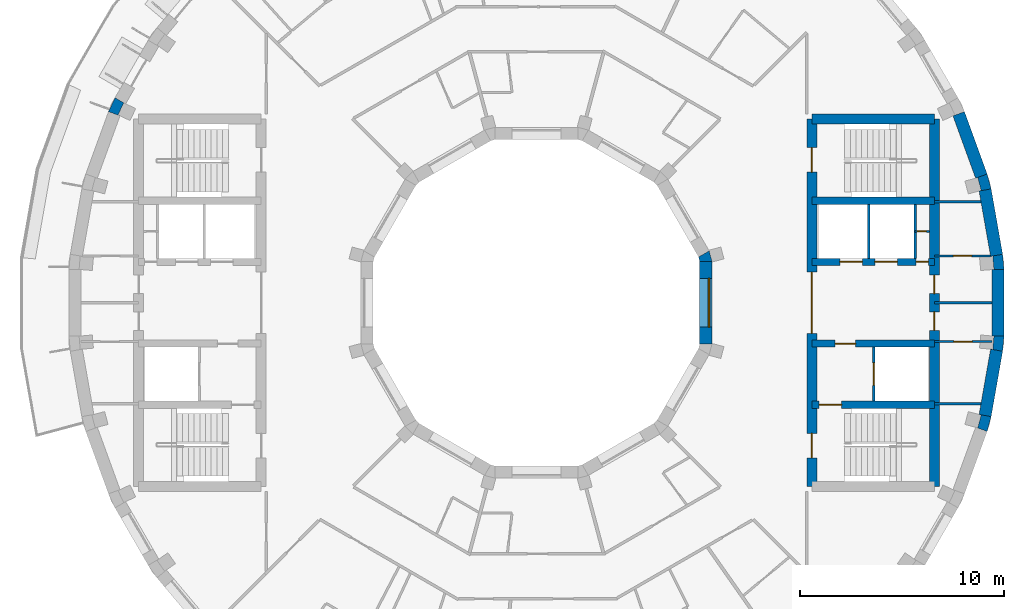
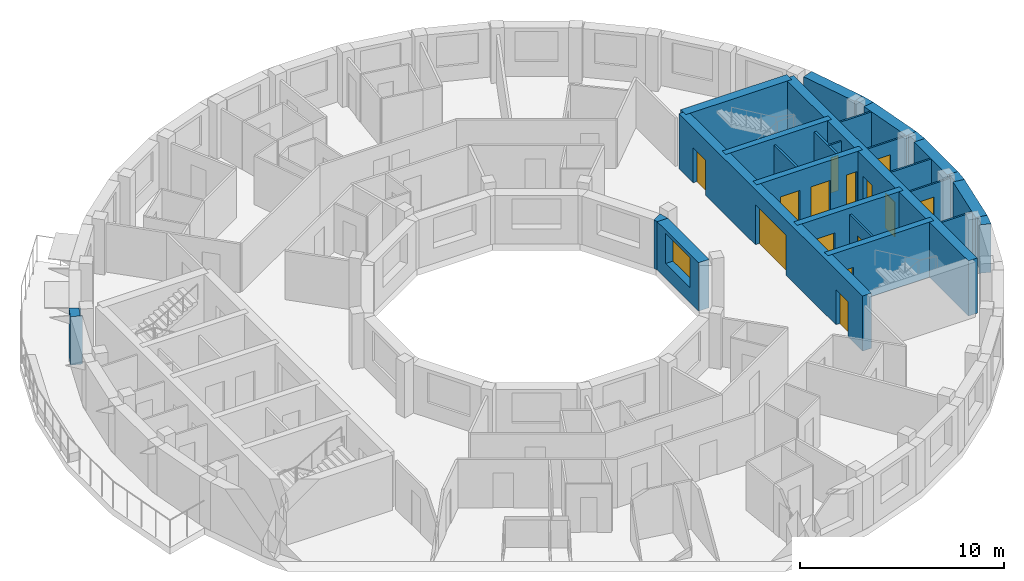
# One storey, part 6 of 10: 27 walls, 14 doors, 1 window, 15 openings.
"""IFC4 building model written with IfcOpenShell, lengths in metres."""

from ifc_helpers import new_model, si_unit, direction, frame, frame_2d, origin, place, context, subcontext, project, spatial, polyline, rectangle, outline, extrude, material, layer, layer_set, type_object, element, fill, save


model = new_model("IFC4")

# Units and contexts
model_context = context("Model", 3, precision=1e-05, world=origin(), true_north=direction((0.0, 1.0)))
body_context = subcontext(model_context, "Body", "Model", "MODEL_VIEW")
ifc_project = project(units=[si_unit("LENGTHUNIT", "METRE"), si_unit("AREAUNIT", "SQUARE_METRE"), si_unit("VOLUMEUNIT", "CUBIC_METRE"), si_unit("PLANEANGLEUNIT", "RADIAN"), si_unit("MASSUNIT", "GRAM", prefix="KILO")], contexts=[model_context])

# Site, building, storey
site_placement = place(None, origin())
site = spatial("IfcSite", under=ifc_project, at=site_placement, CompositionType="ELEMENT")
building_placement = place(site_placement, origin())
building = spatial("IfcBuilding", under=site, at=building_placement, Name="Saqina Gate Tower", CompositionType="ELEMENT")
storey_placement = place(building_placement, frame((0.0, 0.0, 242.89990234375)))
storey = spatial("IfcBuildingStorey", under=building, at=storey_placement, Name="L69", CompositionType="ELEMENT", Elevation=242.89990234375)

# Walls
ifc_material_1 = material(Name="Brick masonry (buff)", Category="masonry")
wall_type_1 = type_object("IfcWallType", Name="BRICK PIER COPING BUFF", PredefinedType="SOLIDWALL", material=ifc_material_1)
wall_1_placement = place(storey_placement, origin())
element("IfcWall", 1, at=wall_1_placement, inside=storey, type_object=wall_type_1, Name="Pier cap L69 column 1", PredefinedType="SOLIDWALL", context=body_context, shape_type="SweptSolid", body=[
    extrude(outline(polyline([(22.91259765625, 1.625732421875), (22.8466796875, 2.377685546875), (22.255859375, 2.2734375), (22.361083984375, 2.28271484375), (22.417724609375, 1.635009765625), (22.3125, 1.625732421875), (22.91259765625, 1.625732421875)])), origin(), (0.0, 0.0, 1.0), 2.900146484375),
])
wall_2_placement = place(storey_placement, origin())
element("IfcWall", 2, at=wall_2_placement, inside=storey, type_object=wall_type_1, Name="Pier cap L69 column 2", PredefinedType="SOLIDWALL", context=body_context, shape_type="SweptSolid", body=[
    extrude(outline(polyline([(22.0869140625, 6.30859375), (21.52294921875, 6.103515625), (21.625, 6.130859375), (21.793212890625, 5.5029296875), (21.691162109375, 5.4755859375), (22.281982421875, 5.579833984375), (22.0869140625, 6.30859375)])), origin(), (0.0, 0.0, 1.0), 2.900146484375),
])
wall_3_placement = place(storey_placement, origin())
element("IfcWall", 3, at=wall_3_placement, inside=storey, type_object=wall_type_1, Name="Pier cap L69 column 16", PredefinedType="SOLIDWALL", context=body_context, shape_type="SweptSolid", body=[
    extrude(outline(polyline([(-20.65576171875, 10.048095703125), (-20.974609375, 9.3642578125), (-20.410888671875, 9.1591796875), (-20.506591796875, 9.203857421875), (-20.23193359375, 9.79296875), (-20.135986328125, 9.748291015625), (-20.65576171875, 10.048095703125)])), origin(), (0.0, 0.0, 1.0), 2.900146484375),
])
wall_4_placement = place(storey_placement, origin())
element("IfcWall", 4, at=wall_4_placement, inside=storey, type_object=wall_type_1, Name="Pier cap L69 column 35", PredefinedType="SOLIDWALL", context=body_context, shape_type="SweptSolid", body=[
    extrude(outline(polyline([(22.281982421875, -5.579833984375), (21.691162109375, -5.4755859375), (21.793212890625, -5.5029296875), (21.625, -6.130859375), (21.52294921875, -6.103515625), (22.0869140625, -6.30859375), (22.281982421875, -5.579833984375)])), origin(), (0.0, 0.0, 1.0), 2.900146484375),
])
wall_5_placement = place(storey_placement, origin())
element("IfcWall", 5, at=wall_5_placement, inside=storey, type_object=wall_type_1, Name="Pier cap L69 column 36", PredefinedType="SOLIDWALL", context=body_context, shape_type="SweptSolid", body=[
    extrude(outline(polyline([(22.8466796875, -2.377685546875), (22.91259765625, -1.625732421875), (22.3125, -1.625732421875), (22.417724609375, -1.635009765625), (22.361083984375, -2.28271484375), (22.255859375, -2.2734375), (22.8466796875, -2.377685546875)])), origin(), (0.0, 0.0, 1.0), 2.900146484375),
])

# Wall, opening, door
ifc_material_2 = material(Name="Gypsum board on steel studs", Category="steel")
ifc_layer_1 = layer(ifc_material_2, 0.10009765625)
ifc_layer_set_1 = layer_set([ifc_layer_1], Name="CORE PARTITION")
wall_type_2 = type_object("IfcWallType", Name="CORE PARTITION", PredefinedType="PARTITIONING", material=ifc_layer_set_1)
wall_6_placement = place(storey_placement, frame((18.56005859375, 3.5, 0.0), z_axis=(0.0, 0.0, 1.0), x_axis=(1.0, 0.0, 0.0)))
wall_6 = element("IfcWall", 6, at=wall_6_placement, inside=storey, type_object=wall_type_2, Name="L69-CP-E01", PredefinedType="PARTITIONING", context=body_context, shape_type="SweptSolid", body=[
    extrude(rectangle(XDim=0.68994140625, YDim=0.10009765625, at=frame_2d((0.344970703125, 0.0))), origin(), (0.0, 0.0, 1.0), 2.900146484375),
])
opening_1_placement = place(wall_6_placement, frame((0.10009765625, 0.0, 0.0)))
opening_1 = element("IfcOpeningElement", 7, at=opening_1_placement, cuts=wall_6, Name="Opening G20-D96", PredefinedType="OPENING", context=body_context, shape_type="SweptSolid", body=[
    extrude(rectangle(XDim=0.449951171875, YDim=2.10009765625, at=frame_2d((0.22509765625, 1.050048828125))), frame((0.0, 0.06201171875, 0.0), z_axis=(0.0, -1.0, 0.0), x_axis=(1.0, 0.0, 0.0)), (0.0, 0.0, 1.0), 0.1240234375),
])
ifc_material_3 = material(Name="Steel-framed fire door leaf, EI 60", Category="steel")
door_type_1 = type_object("IfcDoorType", Name="SERVICE ROOM DOOR 450", OperationType="SINGLE_SWING_LEFT", PredefinedType="DOOR", material=ifc_material_3)
door_1_placement = place(opening_1_placement, origin())
door_1 = element("IfcDoor", 8, at=door_1_placement, inside=storey, type_object=door_type_1, Name="L69-CD-E07", OperationType="SINGLE_SWING_RIGHT", OverallHeight=2.10009765625, OverallWidth=0.449951171875, PredefinedType="DOOR", context=body_context, shape_type="SweptSolid", body=[
    extrude(rectangle(XDim=0.449951171875, YDim=2.10009765625, at=frame_2d((0.22509765625, 1.050048828125))), frame((0.0, 0.02490234375, 0.0), z_axis=(0.0, -1.0, 0.0), x_axis=(1.0, 0.0, 0.0)), (0.0, 0.0, 1.0), 0.050048828125),
])
fill(opening_1, door_1)

# Wall
wall_7_placement = place(storey_placement, frame((19.5, 4.949951171875, 0.0), z_axis=(0.0, 0.0, 1.0), x_axis=(1.0, 0.0, 0.0)))
element("IfcWall", 9, at=wall_7_placement, inside=storey, type_object=wall_type_2, Name="L69-CP-E02", PredefinedType="PARTITIONING", context=body_context, shape_type="SweptSolid", body=[
    extrude(rectangle(XDim=2.283935546875, YDim=0.10009765625, at=frame_2d((1.14208984375, 0.0))), origin(), (0.0, 0.0, 1.0), 2.900146484375),
])

# Wall, opening, door
wall_8_placement = place(storey_placement, frame((19.5, 2.300048828125, 0.0), z_axis=(0.0, 0.0, 1.0), x_axis=(1.0, 0.0, 0.0)))
wall_8 = element("IfcWall", 10, at=wall_8_placement, inside=storey, type_object=wall_type_2, Name="L69-CP-E03", PredefinedType="PARTITIONING", context=body_context, shape_type="SweptSolid", body=[
    extrude(rectangle(XDim=2.751220703125, YDim=0.10009765625, at=frame_2d((1.37548828125, 0.0))), origin(), (0.0, 0.0, 1.0), 2.900146484375),
])
opening_2_placement = place(wall_8_placement, frame((0.925537109375, 0.0, 0.0)))
opening_2 = element("IfcOpeningElement", 11, at=opening_2_placement, cuts=wall_8, Name="Opening G20-D92", PredefinedType="OPENING", context=body_context, shape_type="SweptSolid", body=[
    extrude(rectangle(XDim=0.89990234375, YDim=2.10009765625, at=frame_2d((0.449951171875, 1.050048828125))), frame((0.0, 0.06201171875, 0.0), z_axis=(0.0, -1.0, 0.0), x_axis=(1.0, 0.0, 0.0)), (0.0, 0.0, 1.0), 0.1240234375),
])
ifc_material_4 = material(Name="Steel-framed fire door leaf, EI 60", Category="steel")
door_type_2 = type_object("IfcDoorType", Name="SERVICE ROOM DOOR 900", OperationType="SINGLE_SWING_LEFT", PredefinedType="DOOR", material=ifc_material_4)
door_2_placement = place(opening_2_placement, origin())
door_2 = element("IfcDoor", 12, at=door_2_placement, inside=storey, type_object=door_type_2, Name="L69-CD-E03", OperationType="SINGLE_SWING_LEFT", OverallHeight=2.10009765625, OverallWidth=0.89990234375, PredefinedType="DOOR", context=body_context, shape_type="SweptSolid", body=[
    extrude(rectangle(XDim=0.89990234375, YDim=2.10009765625, at=frame_2d((0.449951171875, 1.050048828125))), frame((0.0, 0.02490234375, 0.0), z_axis=(0.0, -1.0, 0.0), x_axis=(1.0, 0.0, 0.0)), (0.0, 0.0, 1.0), 0.050048828125),
])
fill(opening_2, door_2)

# Wall
wall_9_placement = place(storey_placement, frame((19.5, -4.949951171875, 0.0), z_axis=(0.0, 0.0, 1.0), x_axis=(1.0, 0.0, 0.0)))
element("IfcWall", 13, at=wall_9_placement, inside=storey, type_object=wall_type_2, Name="L69-CP-E04", PredefinedType="PARTITIONING", context=body_context, shape_type="SweptSolid", body=[
    extrude(rectangle(XDim=2.283935546875, YDim=0.10009765625, at=frame_2d((1.14208984375, 0.0))), origin(), (0.0, 0.0, 1.0), 2.900146484375),
])

# Wall, opening, door
wall_10_placement = place(storey_placement, frame((19.5, -1.89990234375, 0.0), z_axis=(0.0, 0.0, 1.0), x_axis=(1.0, 0.0, 0.0)))
wall_10 = element("IfcWall", 14, at=wall_10_placement, inside=storey, type_object=wall_type_2, Name="L69-CP-E05", PredefinedType="PARTITIONING", context=body_context, shape_type="SweptSolid", body=[
    extrude(rectangle(XDim=2.8125, YDim=0.10009765625, at=frame_2d((1.40625, 0.0))), origin(), (0.0, 0.0, 1.0), 2.900146484375),
])
opening_3_placement = place(wall_10_placement, frame((0.956298828125, 0.0, 0.0)))
opening_3 = element("IfcOpeningElement", 15, at=opening_3_placement, cuts=wall_10, Name="Opening G20-D94", PredefinedType="OPENING", context=body_context, shape_type="SweptSolid", body=[
    extrude(rectangle(XDim=0.89990234375, YDim=2.10009765625, at=frame_2d((0.449951171875, 1.050048828125))), frame((0.0, 0.06201171875, 0.0), z_axis=(0.0, -1.0, 0.0), x_axis=(1.0, 0.0, 0.0)), (0.0, 0.0, 1.0), 0.1240234375),
])
door_3_placement = place(opening_3_placement, frame((0.89990234375, 0.0, 0.0), z_axis=(0.0, 0.0, 1.0), x_axis=(-1.0, 0.0, 0.0)))
door_3 = element("IfcDoor", 16, at=door_3_placement, inside=storey, type_object=door_type_2, Name="L69-CD-E05", OperationType="SINGLE_SWING_LEFT", OverallHeight=2.10009765625, OverallWidth=0.89990234375, PredefinedType="DOOR", context=body_context, shape_type="SweptSolid", body=[
    extrude(rectangle(XDim=0.89990234375, YDim=2.10009765625, at=frame_2d((0.449951171875, 1.050048828125))), frame((0.0, 0.02490234375, 0.0), z_axis=(0.0, -1.0, 0.0), x_axis=(1.0, 0.0, 0.0)), (0.0, 0.0, 1.0), 0.050048828125),
])
fill(opening_3, door_3)

# Walls
wall_11_placement = place(storey_placement, frame((19.5, 0.0, 0.0), z_axis=(0.0, 0.0, 1.0), x_axis=(1.0, 0.0, 0.0)))
element("IfcWall", 17, at=wall_11_placement, inside=storey, type_object=wall_type_2, Name="L69-CP-E06", PredefinedType="PARTITIONING", context=body_context, shape_type="SweptSolid", body=[
    extrude(rectangle(XDim=2.8125, YDim=0.10009765625, at=frame_2d((1.40625, 0.0))), origin(), (0.0, 0.0, 1.0), 2.900146484375),
])
ifc_material_5 = material(Name="Glazed ceramic tile", Category="ceramic")
ifc_layer_2 = layer(ifc_material_5, 0.60009765625)
ifc_layer_set_2 = layer_set([ifc_layer_2], Name="FW-TILE")
wall_type_3 = type_object("IfcWallType", Name="FW-TILE", PredefinedType="SOLIDWALL", material=ifc_layer_set_2)
wall_12_placement = place(storey_placement, frame((21.804931640625, 6.2060546875, 0.0), z_axis=(0.0, 0.0, 1.0), x_axis=(-0.342056509473, 0.939679383794, 0.0)))
element("IfcWall", 18, at=wall_12_placement, inside=storey, type_object=wall_type_3, Name="Facade wall L69 facet 2", PredefinedType="SOLIDWALL", context=body_context, shape_type="SweptSolid", body=[
    extrude(rectangle(XDim=3.251708984375, YDim=0.60009765625, at=frame_2d((1.6259765625, 0.0))), origin(), (0.0, 0.0, 1.0), 2.900146484375),
])
wall_13_placement = place(storey_placement, frame((22.612548828125, -1.625732421875, 0.0), z_axis=(0.0, 0.0, 1.0), x_axis=(0.0, 1.0, 0.0)))
element("IfcWall", 19, at=wall_13_placement, inside=storey, type_object=wall_type_3, Name="Facade wall L69 facet 36", PredefinedType="SOLIDWALL", context=body_context, shape_type="SweptSolid", body=[
    extrude(rectangle(XDim=3.25146484375, YDim=0.60009765625, at=frame_2d((1.625732421875, 0.0))), origin(), (0.0, 0.0, 1.0), 2.900146484375),
])
ifc_material_6 = material(Name="Glazed ceramic tile (dark blue)", Category="ceramic")
ifc_layer_3 = layer(ifc_material_6, 0.60009765625)
ifc_layer_set_3 = layer_set([ifc_layer_3], Name="FW-TILE-CB")
wall_type_4 = type_object("IfcWallType", Name="FW-TILE-CB", PredefinedType="SOLIDWALL", material=ifc_layer_set_3)
wall_14_placement = place(storey_placement, frame((22.55126953125, 2.325439453125, 0.0), z_axis=(0.0, 0.0, 1.0), x_axis=(-0.173656842178, 0.984806225186, 0.0)))
element("IfcWall", 20, at=wall_14_placement, inside=storey, type_object=wall_type_4, Name="Facade wall L69 facet 1", PredefinedType="SOLIDWALL", context=body_context, shape_type="SweptSolid", body=[
    extrude(rectangle(XDim=3.251708984375, YDim=0.60009765625, at=frame_2d((1.6259765625, 0.0))), origin(), (0.0, 0.0, 1.0), 2.900146484375),
])
ifc_material_7 = material(Name="Glazed ceramic tile (white)", Category="ceramic")
ifc_layer_4 = layer(ifc_material_7, 0.60009765625)
ifc_layer_set_4 = layer_set([ifc_layer_4], Name="FW-TILE-WH")
wall_type_5 = type_object("IfcWallType", Name="FW-TILE-WH", PredefinedType="SOLIDWALL", material=ifc_layer_set_4)
wall_15_placement = place(storey_placement, frame((21.986572265625, -5.52783203125, 0.0), z_axis=(0.0, 0.0, 1.0), x_axis=(0.173656842178, 0.984806225186, 0.0)))
element("IfcWall", 21, at=wall_15_placement, inside=storey, type_object=wall_type_5, Name="Facade wall L69 facet 35", PredefinedType="SOLIDWALL", context=body_context, shape_type="SweptSolid", body=[
    extrude(rectangle(XDim=3.251708984375, YDim=0.60009765625, at=frame_2d((1.6259765625, 0.0))), origin(), (0.0, 0.0, 1.0), 2.900146484375),
])

# Wall, opening, window
ifc_material_8 = material(Name="Glazed ceramic tile", Category="ceramic")
ifc_layer_5 = layer(ifc_material_8, 0.60009765625)
ifc_layer_set_5 = layer_set([ifc_layer_5], Name="IW-TILE")
wall_type_6 = type_object("IfcWallType", Name="IW-TILE", PredefinedType="SOLIDWALL", material=ifc_layer_set_5)
wall_16_placement = place(storey_placement, frame((8.300048828125, -2.029296875, 0.0), z_axis=(0.0, 0.0, 1.0), x_axis=(0.0, 1.0, 0.0)))
wall_16 = element("IfcWall", 22, at=wall_16_placement, inside=storey, type_object=wall_type_6, Name="Well wall L69 facet 12", PredefinedType="SOLIDWALL", context=body_context, shape_type="SweptSolid", body=[
    extrude(rectangle(XDim=4.05859375, YDim=0.60009765625, at=frame_2d((2.029296875, 0.0))), origin(), (0.0, 0.0, 1.0), 2.900146484375),
])
opening_4_placement = place(wall_16_placement, frame((0.829345703125, 0.0, 0.89990234375)))
opening_4 = element("IfcOpeningElement", 23, at=opening_4_placement, cuts=wall_16, Name="Opening G20-W36", PredefinedType="OPENING", context=body_context, shape_type="SweptSolid", body=[
    extrude(rectangle(XDim=2.39990234375, YDim=1.800048828125, at=frame_2d((1.199951171875, 0.89990234375))), frame((0.0, 0.31201171875, 0.0), z_axis=(0.0, -1.0, 0.0), x_axis=(1.0, 0.0, 0.0)), (0.0, 0.0, 1.0), 0.6240234375),
])
ifc_material_9 = material(Name="Aluminium glazing", Category="aluminium")
window_type = type_object("IfcWindowType", Name="WN-W", PartitioningType="SINGLE_PANEL", PredefinedType="WINDOW", material=ifc_material_9)
window_placement = place(opening_4_placement, origin())
window = element("IfcWindow", 24, at=window_placement, inside=storey, type_object=window_type, Name="Well window L69 facet 12", OverallHeight=1.800048828125, OverallWidth=2.39990234375, PartitioningType="SINGLE_PANEL", PredefinedType="WINDOW", context=body_context, shape_type="SweptSolid", body=[
    extrude(rectangle(XDim=2.39990234375, YDim=1.800048828125, at=frame_2d((1.199951171875, 0.89990234375))), frame((0.0, -0.119873046875, 0.0), z_axis=(0.0, -1.0, 0.0), x_axis=(1.0, 0.0, 0.0)), (0.0, 0.0, 1.0), 0.06005859375),
])
fill(opening_4, window)

# Walls
ifc_material_10 = material(Name="Autoclaved aerated concrete block", Category="concrete")
ifc_layer_6 = layer(ifc_material_10, 0.1201171875)
ifc_layer_set_6 = layer_set([ifc_layer_6], Name="SHAFT PARTITION")
wall_type_7 = type_object("IfcWallType", Name="SHAFT PARTITION", PredefinedType="PARTITIONING", material=ifc_layer_set_6)
for number, where, z_axis, x_axis, name in (
    (25, (16.280029296875, 2.175048828125, 0.0), (0.0, 0.0, 1.0), (0.0, 1.0, 0.0), "L69-CP-E07"),
    (26, (18.56005859375, 2.175048828125, 0.0), (0.0, 0.0, 1.0), (0.0, 1.0, 0.0), "L69-CP-E08"),
):
    element("IfcWall", number, at=place(storey_placement, frame(where, z_axis=z_axis, x_axis=x_axis)), inside=storey, type_object=wall_type_7, Name=name, PredefinedType="PARTITIONING", context=body_context, shape_type="SweptSolid", body=[
        extrude(rectangle(XDim=2.64990234375, YDim=0.1201171875, at=frame_2d((1.324951171875, 0.0))), origin(), (0.0, 0.0, 1.0), 2.900146484375),
    ])

# Wall, opening, door
wall_17_placement = place(storey_placement, frame((16.530029296875, -4.824951171875, 0.0), z_axis=(0.0, 0.0, 1.0), x_axis=(0.0, 1.0, 0.0)))
wall_17 = element("IfcWall", 27, at=wall_17_placement, inside=storey, type_object=wall_type_7, Name="L69-CP-E09", PredefinedType="PARTITIONING", context=body_context, shape_type="SweptSolid", body=[
    extrude(rectangle(XDim=2.64990234375, YDim=0.1201171875, at=frame_2d((1.324951171875, 0.0))), origin(), (0.0, 0.0, 1.0), 2.900146484375),
])
opening_5_placement = place(wall_17_placement, frame((0.77490234375, 0.0, 0.0)))
opening_5 = element("IfcOpeningElement", 28, at=opening_5_placement, cuts=wall_17, Name="Opening G20-LD3", PredefinedType="OPENING", context=body_context, shape_type="SweptSolid", body=[
    extrude(rectangle(XDim=1.10009765625, YDim=2.10009765625, at=frame_2d((0.550048828125, 1.050048828125))), frame((0.0, 0.072021484375, 0.0), z_axis=(0.0, -1.0, 0.0), x_axis=(1.0, 0.0, 0.0)), (0.0, 0.0, 1.0), 0.14404296875),
])
ifc_material_11 = material(Name="Stainless steel", Category="steel")
door_type_3 = type_object("IfcDoorType", Name="LANDING DOOR", OperationType="DOUBLE_DOOR_SLIDING", PredefinedType="DOOR", material=ifc_material_11)
door_4_placement = place(opening_5_placement, origin())
door_4 = element("IfcDoor", 29, at=door_4_placement, inside=storey, type_object=door_type_3, Name="LANDING DOOR FF1", OperationType="DOUBLE_DOOR_SLIDING", OverallHeight=2.10009765625, OverallWidth=1.10009765625, PredefinedType="DOOR", context=body_context, shape_type="SweptSolid", body=[
    extrude(rectangle(XDim=1.10009765625, YDim=2.10009765625, at=frame_2d((0.550048828125, 1.050048828125))), frame((0.0, 0.02490234375, 0.0), z_axis=(0.0, -1.0, 0.0), x_axis=(1.0, 0.0, 0.0)), (0.0, 0.0, 1.0), 0.050048828125),
])
fill(opening_5, door_4)

# Wall
ifc_material_12 = material(Name="Concrete C60/75", Category="concrete")
ifc_layer_7 = layer(ifc_material_12, 0.35009765625)
ifc_layer_set_7 = layer_set([ifc_layer_7], Name="Concrete C60/75")
wall_type_8 = type_object("IfcWallType", Name="STR-CORE WALL-D-I", PredefinedType="SHEAR", material=ifc_layer_set_7)
wall_18_placement = place(storey_placement, frame((13.5, 5.0, 0.0), z_axis=(0.0, 0.0, 1.0), x_axis=(1.0, 0.0, 0.0)))
element("IfcWall", 30, at=wall_18_placement, inside=storey, type_object=wall_type_8, Name="CORE WALL L69 E-X1", PredefinedType="SHEAR", context=body_context, shape_type="SweptSolid", body=[
    extrude(rectangle(XDim=6.0, YDim=0.35009765625, at=frame_2d((3.0, 0.0))), origin(), (0.0, 0.0, 1.0), 3.300048828125),
])

# Wall, opening, door
wall_19_placement = place(storey_placement, frame((13.5, -5.0, 0.0), z_axis=(0.0, 0.0, 1.0), x_axis=(1.0, 0.0, 0.0)))
wall_19 = element("IfcWall", 31, at=wall_19_placement, inside=storey, type_object=wall_type_8, Name="CORE WALL L69 E-X2", PredefinedType="SHEAR", context=body_context, shape_type="SweptSolid", body=[
    extrude(rectangle(XDim=6.0, YDim=0.35009765625, at=frame_2d((3.0, 0.0))), origin(), (0.0, 0.0, 1.0), 3.300048828125),
])
opening_6_placement = place(wall_19_placement, frame((0.35009765625, 0.0, 0.0)))
opening_6 = element("IfcOpeningElement", 32, at=opening_6_placement, cuts=wall_19, Name="Opening G20-D97", PredefinedType="OPENING", context=body_context, shape_type="SweptSolid", body=[
    extrude(rectangle(XDim=1.10009765625, YDim=2.10009765625, at=frame_2d((0.550048828125, 1.050048828125))), frame((0.0, 0.18701171875, 0.0), z_axis=(0.0, -1.0, 0.0), x_axis=(1.0, 0.0, 0.0)), (0.0, 0.0, 1.0), 0.3740234375),
])
ifc_material_13 = material(Name="Steel", Category="steel")
door_type_4 = type_object("IfcDoorType", Name="FIRE LOBBY DOOR EI 60 WIDE", OperationType="SINGLE_SWING_LEFT", PredefinedType="DOOR", material=ifc_material_13)
door_5_placement = place(opening_6_placement, frame((1.10009765625, 0.0, 0.0), z_axis=(0.0, 0.0, 1.0), x_axis=(-1.0, 0.0, 0.0)))
door_5 = element("IfcDoor", 33, at=door_5_placement, inside=storey, type_object=door_type_4, Name="L69-CD-E08", OperationType="SINGLE_SWING_RIGHT", OverallHeight=2.10009765625, OverallWidth=1.10009765625, PredefinedType="DOOR", context=body_context, shape_type="SweptSolid", body=[
    extrude(rectangle(XDim=1.10009765625, YDim=2.10009765625, at=frame_2d((0.550048828125, 1.050048828125))), frame((0.0, 0.02490234375, 0.0), z_axis=(0.0, -1.0, 0.0), x_axis=(1.0, 0.0, 0.0)), (0.0, 0.0, 1.0), 0.050048828125),
])
fill(opening_6, door_5)

# Wall, openings, doors
wall_20_placement = place(storey_placement, frame((13.5, 2.0, 0.0), z_axis=(0.0, 0.0, 1.0), x_axis=(1.0, 0.0, 0.0)))
wall_20 = element("IfcWall", 34, at=wall_20_placement, inside=storey, type_object=wall_type_8, Name="CORE WALL L69 E-L1", PredefinedType="SHEAR", context=body_context, shape_type="SweptSolid", body=[
    extrude(rectangle(XDim=6.0, YDim=0.35009765625, at=frame_2d((3.0, 0.0))), origin(), (0.0, 0.0, 1.0), 3.300048828125),
])
opening_7_placement = place(wall_20_placement, frame((1.3701171875, 0.0, 0.0)))
opening_7 = element("IfcOpeningElement", 35, at=opening_7_placement, cuts=wall_20, Name="Opening G20-LD1", PredefinedType="OPENING", context=body_context, shape_type="SweptSolid", body=[
    extrude(rectangle(XDim=1.10009765625, YDim=2.10009765625, at=frame_2d((0.550048828125, 1.050048828125))), frame((0.0, 0.18701171875, 0.0), z_axis=(0.0, -1.0, 0.0), x_axis=(1.0, 0.0, 0.0)), (0.0, 0.0, 1.0), 0.3740234375),
])
opening_8_placement = place(wall_20_placement, frame((3.090087890625, 0.0, 0.0)))
opening_8 = element("IfcOpeningElement", 36, at=opening_8_placement, cuts=wall_20, Name="Opening G20-LD2", PredefinedType="OPENING", context=body_context, shape_type="SweptSolid", body=[
    extrude(rectangle(XDim=1.10009765625, YDim=2.10009765625, at=frame_2d((0.550048828125, 1.050048828125))), frame((0.0, 0.18701171875, 0.0), z_axis=(0.0, -1.0, 0.0), x_axis=(1.0, 0.0, 0.0)), (0.0, 0.0, 1.0), 0.3740234375),
])
opening_9_placement = place(wall_20_placement, frame((5.10498046875, 0.0, 0.0)))
opening_9 = element("IfcOpeningElement", 37, at=opening_9_placement, cuts=wall_20, Name="Opening G20-D90", PredefinedType="OPENING", context=body_context, shape_type="SweptSolid", body=[
    extrude(rectangle(XDim=0.60009765625, YDim=2.10009765625, at=frame_2d((0.300048828125, 1.050048828125))), frame((0.0, 0.18701171875, 0.0), z_axis=(0.0, -1.0, 0.0), x_axis=(1.0, 0.0, 0.0)), (0.0, 0.0, 1.0), 0.3740234375),
])
door_6_placement = place(opening_7_placement, origin())
door_6 = element("IfcDoor", 38, at=door_6_placement, inside=storey, type_object=door_type_3, Name="LANDING DOOR HR1", OperationType="DOUBLE_DOOR_SLIDING", OverallHeight=2.10009765625, OverallWidth=1.10009765625, PredefinedType="DOOR", context=body_context, shape_type="SweptSolid", body=[
    extrude(rectangle(XDim=1.10009765625, YDim=2.10009765625, at=frame_2d((0.550048828125, 1.050048828125))), frame((0.0, 0.02490234375, 0.0), z_axis=(0.0, -1.0, 0.0), x_axis=(1.0, 0.0, 0.0)), (0.0, 0.0, 1.0), 0.050048828125),
])
fill(opening_7, door_6)
door_7_placement = place(opening_8_placement, origin())
door_7 = element("IfcDoor", 39, at=door_7_placement, inside=storey, type_object=door_type_3, Name="LANDING DOOR HR2", OperationType="DOUBLE_DOOR_SLIDING", OverallHeight=2.10009765625, OverallWidth=1.10009765625, PredefinedType="DOOR", context=body_context, shape_type="SweptSolid", body=[
    extrude(rectangle(XDim=1.10009765625, YDim=2.10009765625, at=frame_2d((0.550048828125, 1.050048828125))), frame((0.0, 0.02490234375, 0.0), z_axis=(0.0, -1.0, 0.0), x_axis=(1.0, 0.0, 0.0)), (0.0, 0.0, 1.0), 0.050048828125),
])
fill(opening_8, door_7)
ifc_material_14 = material(Name="Steel-framed fire door leaf, EI 60", Category="steel")
door_type_5 = type_object("IfcDoorType", Name="SERVICE ROOM DOOR 600", OperationType="SINGLE_SWING_LEFT", PredefinedType="DOOR", material=ifc_material_14)
door_8_placement = place(opening_9_placement, origin())
door_8 = element("IfcDoor", 40, at=door_8_placement, inside=storey, type_object=door_type_5, Name="L69-CD-E01", OperationType="SINGLE_SWING_RIGHT", OverallHeight=2.10009765625, OverallWidth=0.60009765625, PredefinedType="DOOR", context=body_context, shape_type="SweptSolid", body=[
    extrude(rectangle(XDim=0.60009765625, YDim=2.10009765625, at=frame_2d((0.300048828125, 1.050048828125))), frame((0.0, 0.02490234375, 0.0), z_axis=(0.0, -1.0, 0.0), x_axis=(1.0, 0.0, 0.0)), (0.0, 0.0, 1.0), 0.050048828125),
])
fill(opening_9, door_8)

# Wall, opening, door
wall_21_placement = place(storey_placement, frame((13.5, -2.0, 0.0), z_axis=(0.0, 0.0, 1.0), x_axis=(1.0, 0.0, 0.0)))
wall_21 = element("IfcWall", 41, at=wall_21_placement, inside=storey, type_object=wall_type_8, Name="CORE WALL L69 E-L2", PredefinedType="SHEAR", context=body_context, shape_type="SweptSolid", body=[
    extrude(rectangle(XDim=6.0, YDim=0.35009765625, at=frame_2d((3.0, 0.0))), origin(), (0.0, 0.0, 1.0), 3.300048828125),
])
opening_10_placement = place(wall_21_placement, frame((1.139892578125, 0.0, 0.0)))
opening_10 = element("IfcOpeningElement", 42, at=opening_10_placement, cuts=wall_21, Name="Opening G20-D91", PredefinedType="OPENING", context=body_context, shape_type="SweptSolid", body=[
    extrude(rectangle(XDim=1.0, YDim=2.10009765625, at=frame_2d((0.5, 1.050048828125))), frame((0.0, 0.18701171875, 0.0), z_axis=(0.0, -1.0, 0.0), x_axis=(1.0, 0.0, 0.0)), (0.0, 0.0, 1.0), 0.3740234375),
])
ifc_material_15 = material(Name="Steel", Category="steel")
door_type_6 = type_object("IfcDoorType", Name="FIRE LOBBY DOOR EI 60", OperationType="SINGLE_SWING_LEFT", PredefinedType="DOOR", material=ifc_material_15)
door_9_placement = place(opening_10_placement, origin())
door_9 = element("IfcDoor", 43, at=door_9_placement, inside=storey, type_object=door_type_6, Name="L69-CD-E02", OperationType="SINGLE_SWING_LEFT", OverallHeight=2.10009765625, OverallWidth=1.0, PredefinedType="DOOR", context=body_context, shape_type="SweptSolid", body=[
    extrude(rectangle(XDim=1.0, YDim=2.10009765625, at=frame_2d((0.5, 1.050048828125))), frame((0.0, 0.02490234375, 0.0), z_axis=(0.0, -1.0, 0.0), x_axis=(1.0, 0.0, 0.0)), (0.0, 0.0, 1.0), 0.050048828125),
])
fill(opening_10, door_9)

# Wall, openings, doors
ifc_material_16 = material(Name="Concrete C60/75", Category="concrete")
ifc_layer_8 = layer(ifc_material_16, 0.5)
ifc_layer_set_8 = layer_set([ifc_layer_8], Name="Concrete C60/75")
wall_type_9 = type_object("IfcWallType", Name="STR-CORE WALL-D-O", PredefinedType="SHEAR", material=ifc_layer_set_8)
wall_22_placement = place(storey_placement, frame((13.5, -9.0, 0.0), z_axis=(0.0, 0.0, 1.0), x_axis=(0.0, 1.0, 0.0)))
wall_22 = element("IfcWall", 44, at=wall_22_placement, inside=storey, type_object=wall_type_9, Name="CORE WALL L69 E-W1", PredefinedType="SHEAR", context=body_context, shape_type="SweptSolid", body=[
    extrude(rectangle(XDim=18.0, YDim=0.5, at=frame_2d((9.0, 0.0))), origin(), (0.0, 0.0, 1.0), 3.300048828125),
])
opening_11_placement = place(wall_22_placement, frame((15.39990234375, 0.0, 0.0)))
opening_11 = element("IfcOpeningElement", 45, at=opening_11_placement, cuts=wall_22, Name="Opening G20-D98", PredefinedType="OPENING", context=body_context, shape_type="SweptSolid", body=[
    extrude(rectangle(XDim=1.199951171875, YDim=2.10009765625, at=frame_2d((0.60009765625, 1.050048828125))), frame((0.0, 0.261962890625, 0.0), z_axis=(0.0, -1.0, 0.0), x_axis=(1.0, 0.0, 0.0)), (0.0, 0.0, 1.0), 0.52392578125),
])
opening_12_placement = place(wall_22_placement, frame((1.39990234375, 0.0, 0.0)))
opening_12 = element("IfcOpeningElement", 46, at=opening_12_placement, cuts=wall_22, Name="Opening G20-D99", PredefinedType="OPENING", context=body_context, shape_type="SweptSolid", body=[
    extrude(rectangle(XDim=1.199951171875, YDim=2.10009765625, at=frame_2d((0.60009765625, 1.050048828125))), frame((0.0, 0.261962890625, 0.0), z_axis=(0.0, -1.0, 0.0), x_axis=(1.0, 0.0, 0.0)), (0.0, 0.0, 1.0), 0.52392578125),
])
opening_13_placement = place(wall_22_placement, frame((7.5, 0.0, 0.0)))
opening_13 = element("IfcOpeningElement", 47, at=opening_13_placement, cuts=wall_22, Name="Opening G20-D100", PredefinedType="OPENING", context=body_context, shape_type="SweptSolid", body=[
    extrude(rectangle(XDim=3.0, YDim=2.39990234375, at=frame_2d((1.5, 1.199951171875))), frame((0.0, 0.261962890625, 0.0), z_axis=(0.0, -1.0, 0.0), x_axis=(1.0, 0.0, 0.0)), (0.0, 0.0, 1.0), 0.52392578125),
])
ifc_material_17 = material(Name="Steel", Category="steel")
door_type_7 = type_object("IfcDoorType", Name="FIRE DOOR EI 60", OperationType="SINGLE_SWING_LEFT", PredefinedType="DOOR", material=ifc_material_17)
door_10_placement = place(opening_11_placement, frame((1.199951171875, 0.0, 0.0), z_axis=(0.0, 0.0, 1.0), x_axis=(-1.0, 0.0, 0.0)))
door_10 = element("IfcDoor", 48, at=door_10_placement, inside=storey, type_object=door_type_7, Name="L69-CD-E09", OperationType="SINGLE_SWING_LEFT", OverallHeight=2.10009765625, OverallWidth=1.199951171875, PredefinedType="DOOR", context=body_context, shape_type="SweptSolid", body=[
    extrude(rectangle(XDim=1.199951171875, YDim=2.10009765625, at=frame_2d((0.60009765625, 1.050048828125))), frame((0.0, 0.02490234375, 0.0), z_axis=(0.0, -1.0, 0.0), x_axis=(1.0, 0.0, 0.0)), (0.0, 0.0, 1.0), 0.050048828125),
])
fill(opening_11, door_10)
door_11_placement = place(opening_12_placement, frame((1.199951171875, 0.0, 0.0), z_axis=(0.0, 0.0, 1.0), x_axis=(-1.0, 0.0, 0.0)))
door_11 = element("IfcDoor", 49, at=door_11_placement, inside=storey, type_object=door_type_7, Name="L69-CD-E10", OperationType="SINGLE_SWING_RIGHT", OverallHeight=2.10009765625, OverallWidth=1.199951171875, PredefinedType="DOOR", context=body_context, shape_type="SweptSolid", body=[
    extrude(rectangle(XDim=1.199951171875, YDim=2.10009765625, at=frame_2d((0.60009765625, 1.050048828125))), frame((0.0, 0.02490234375, 0.0), z_axis=(0.0, -1.0, 0.0), x_axis=(1.0, 0.0, 0.0)), (0.0, 0.0, 1.0), 0.050048828125),
])
fill(opening_12, door_11)
ifc_material_18 = material(Name="Steel and fire-resisting glass", Category="steel")
door_type_8 = type_object("IfcDoorType", Name="LOBBY SCREEN DOOR", OperationType="DOUBLE_DOOR_SLIDING", PredefinedType="DOOR", material=ifc_material_18)
door_12_placement = place(opening_13_placement, origin())
door_12 = element("IfcDoor", 50, at=door_12_placement, inside=storey, type_object=door_type_8, Name="L69-CD-E11", OperationType="DOUBLE_DOOR_SLIDING", OverallHeight=2.39990234375, OverallWidth=3.0, PredefinedType="DOOR", context=body_context, shape_type="SweptSolid", body=[
    extrude(rectangle(XDim=3.0, YDim=2.39990234375, at=frame_2d((1.5, 1.199951171875))), frame((0.0, 0.02490234375, 0.0), z_axis=(0.0, -1.0, 0.0), x_axis=(1.0, 0.0, 0.0)), (0.0, 0.0, 1.0), 0.050048828125),
])
fill(opening_13, door_12)

wall_23_placement = place(storey_placement, frame((19.5, -9.0, 0.0), z_axis=(0.0, 0.0, 1.0), x_axis=(0.0, 1.0, 0.0)))
wall_23 = element("IfcWall", 51, at=wall_23_placement, inside=storey, type_object=wall_type_9, Name="CORE WALL L69 E-W2", PredefinedType="SHEAR", context=body_context, shape_type="SweptSolid", body=[
    extrude(rectangle(XDim=18.0, YDim=0.5, at=frame_2d((9.0, 0.0))), origin(), (0.0, 0.0, 1.0), 3.300048828125),
])
opening_14_placement = place(wall_23_placement, frame((9.449951171875, 0.0, 0.0)))
opening_14 = element("IfcOpeningElement", 52, at=opening_14_placement, cuts=wall_23, Name="Opening G20-D93", PredefinedType="OPENING", context=body_context, shape_type="SweptSolid", body=[
    extrude(rectangle(XDim=0.89990234375, YDim=2.10009765625, at=frame_2d((0.449951171875, 1.050048828125))), frame((0.0, 0.261962890625, 0.0), z_axis=(0.0, -1.0, 0.0), x_axis=(1.0, 0.0, 0.0)), (0.0, 0.0, 1.0), 0.52392578125),
])
opening_15_placement = place(wall_23_placement, frame((7.64990234375, 0.0, 0.0)))
opening_15 = element("IfcOpeningElement", 53, at=opening_15_placement, cuts=wall_23, Name="Opening G20-D95", PredefinedType="OPENING", context=body_context, shape_type="SweptSolid", body=[
    extrude(rectangle(XDim=0.89990234375, YDim=2.10009765625, at=frame_2d((0.449951171875, 1.050048828125))), frame((0.0, 0.261962890625, 0.0), z_axis=(0.0, -1.0, 0.0), x_axis=(1.0, 0.0, 0.0)), (0.0, 0.0, 1.0), 0.52392578125),
])
door_13_placement = place(opening_14_placement, frame((0.89990234375, 0.0, 0.0), z_axis=(0.0, 0.0, 1.0), x_axis=(-1.0, 0.0, 0.0)))
door_13 = element("IfcDoor", 54, at=door_13_placement, inside=storey, type_object=door_type_2, Name="L69-CD-E04", OperationType="SINGLE_SWING_RIGHT", OverallHeight=2.10009765625, OverallWidth=0.89990234375, PredefinedType="DOOR", context=body_context, shape_type="SweptSolid", body=[
    extrude(rectangle(XDim=0.89990234375, YDim=2.10009765625, at=frame_2d((0.449951171875, 1.050048828125))), frame((0.0, 0.02490234375, 0.0), z_axis=(0.0, -1.0, 0.0), x_axis=(1.0, 0.0, 0.0)), (0.0, 0.0, 1.0), 0.050048828125),
])
fill(opening_14, door_13)
door_14_placement = place(opening_15_placement, frame((0.89990234375, 0.0, 0.0), z_axis=(0.0, 0.0, 1.0), x_axis=(-1.0, 0.0, 0.0)))
door_14 = element("IfcDoor", 55, at=door_14_placement, inside=storey, type_object=door_type_2, Name="L69-CD-E06", OperationType="SINGLE_SWING_RIGHT", OverallHeight=2.10009765625, OverallWidth=0.89990234375, PredefinedType="DOOR", context=body_context, shape_type="SweptSolid", body=[
    extrude(rectangle(XDim=0.89990234375, YDim=2.10009765625, at=frame_2d((0.449951171875, 1.050048828125))), frame((0.0, 0.02490234375, 0.0), z_axis=(0.0, -1.0, 0.0), x_axis=(1.0, 0.0, 0.0)), (0.0, 0.0, 1.0), 0.050048828125),
])
fill(opening_15, door_14)

# Walls
wall_24_placement = place(storey_placement, frame((13.5, 9.0, 0.0), z_axis=(0.0, 0.0, 1.0), x_axis=(1.0, 0.0, 0.0)))
element("IfcWall", 56, at=wall_24_placement, inside=storey, type_object=wall_type_9, Name="CORE WALL L69 E-NE", PredefinedType="SHEAR", context=body_context, shape_type="SweptSolid", body=[
    extrude(rectangle(XDim=6.0, YDim=0.5, at=frame_2d((3.0, 0.0))), origin(), (0.0, 0.0, 1.0), 3.300048828125),
])
ifc_material_19 = material(Name="Glazed ceramic tile", Category="ceramic")
wall_type_10 = type_object("IfcWallType", Name="TILE PIER COPING", PredefinedType="SOLIDWALL", material=ifc_material_19)
wall_25_placement = place(storey_placement, origin())
element("IfcWall", 57, at=wall_25_placement, inside=storey, type_object=wall_type_10, Name="Well pier cap L69 column 1", PredefinedType="SOLIDWALL", context=body_context, shape_type="SweptSolid", body=[
    extrude(outline(polyline([(8.46240234375, 2.54248046875), (7.94287109375, 2.242431640625), (8.0, 2.029296875), (8.60009765625, 2.029296875), (8.46240234375, 2.54248046875)])), origin(), (0.0, 0.0, 1.0), 2.900146484375),
])

save(model, "model.ifc")
